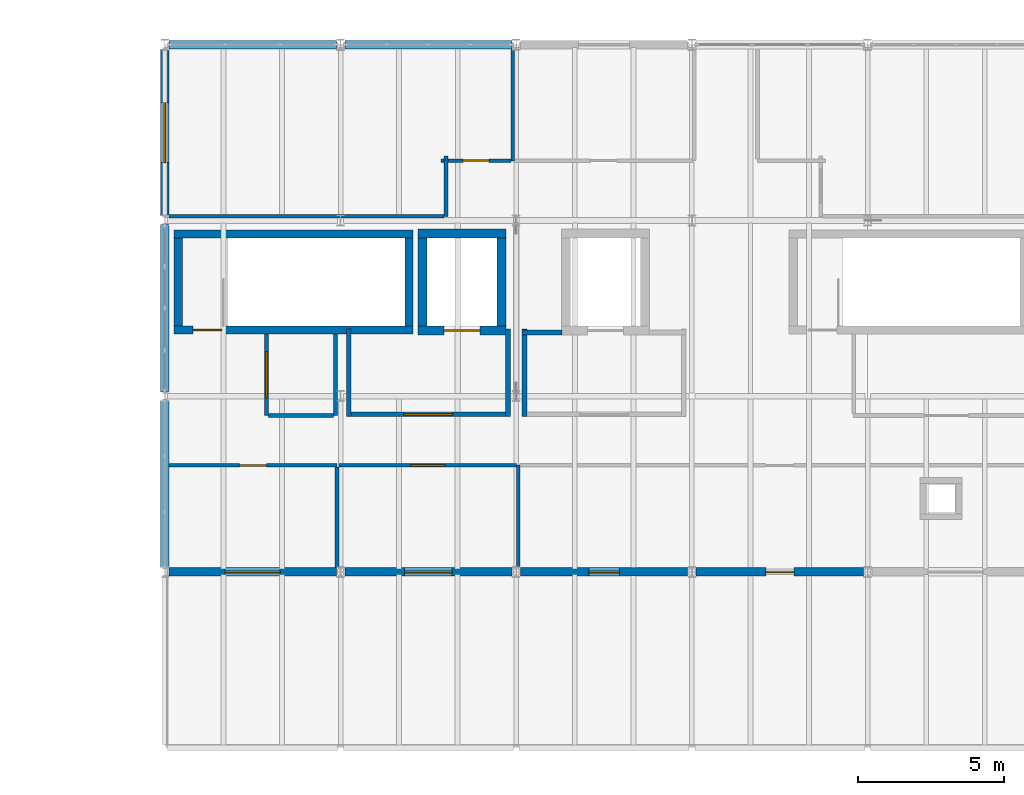
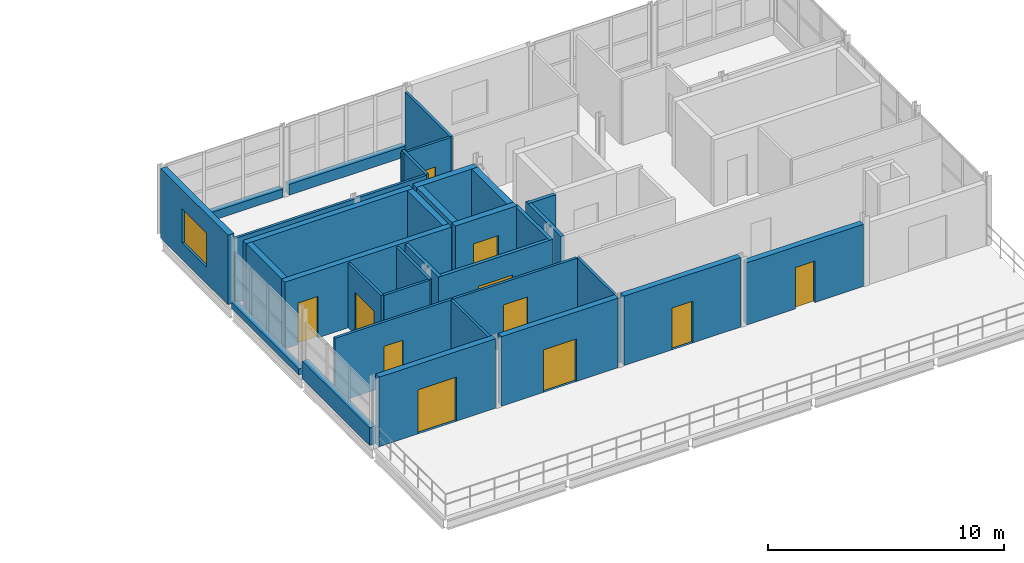
# One storey, part 16 of 20: 33 walls, 11 doors, 1 window, 12 openings.
"""IFC4 building model written with IfcOpenShell, lengths in metres."""

from ifc_helpers import new_model, si_unit, direction, frame, frame_2d, origin, place, context, subcontext, project, spatial, rectangle, extrude, material, layer, layer_set, type_object, element, fill, save


model = new_model("IFC4")

# Units and contexts
model_context = context("Model", 3, precision=1e-05, world=origin(), true_north=direction((0.0, 1.0)))
body_context = subcontext(model_context, "Body", "Model", "MODEL_VIEW")
ifc_project = project(units=[si_unit("LENGTHUNIT", "METRE"), si_unit("AREAUNIT", "SQUARE_METRE"), si_unit("VOLUMEUNIT", "CUBIC_METRE"), si_unit("PLANEANGLEUNIT", "RADIAN"), si_unit("MASSUNIT", "GRAM", prefix="KILO")], contexts=[model_context])

# Site, building, storey
site_placement = place(None, origin())
site = spatial("IfcSite", under=ifc_project, at=site_placement, CompositionType="ELEMENT")
building_placement = place(site_placement, origin())
building = spatial("IfcBuilding", under=site, at=building_placement, Name="Siltcreek Boulevard Central Fire Station", CompositionType="ELEMENT")
storey_placement = place(building_placement, frame((0.0, 0.0, 18.0)))
storey = spatial("IfcBuildingStorey", under=building, at=storey_placement, Name="L05", CompositionType="ELEMENT", Elevation=18.0)

# Wall, opening, door
ifc_material_1 = material(Name="Concrete C40/50", Category="concrete")
ifc_layer_1 = layer(ifc_material_1, 0.280029296875, Name="Concrete C40/50")
ifc_layer_set_1 = layer_set([ifc_layer_1], Name="Concrete C40/50")
wall_type_1 = type_object("IfcWallType", Name="CW_SHEAR280", PredefinedType="SHEAR", material=ifc_layer_set_1)
wall_1_placement = place(storey_placement, frame((124.52001953125, 102.4599609375, 0.0), z_axis=(0.0, 0.0, 1.0), x_axis=(1.0, 0.0, 0.0)))
wall_1 = element("IfcWall", 1, at=wall_1_placement, inside=storey, type_object=wall_type_1, Name="L05 ST-V5A stair enclosure south shear wall", PredefinedType="SHEAR", context=body_context, shape_type="SweptSolid", body=[
    extrude(rectangle(XDim=8.159912109375, YDim=0.280029296875, at=frame_2d((4.080078125, 0.0))), origin(), (0.0, 0.0, 1.0), 3.449951171875),
])
opening_1_placement = place(wall_1_placement, frame((0.64990234375, 0.0, 0.0)))
opening_1 = element("IfcOpeningElement", 2, at=opening_1_placement, cuts=wall_1, Name="Opening SD-037", PredefinedType="OPENING", context=body_context, shape_type="SweptSolid", body=[
    extrude(rectangle(XDim=0.97998046875, YDim=2.14990234375, at=frame_2d((0.489990234375, 1.074951171875))), frame((0.0, 0.14990234375, 0.0), z_axis=(0.0, -1.0, 0.0), x_axis=(1.0, 0.0, 0.0)), (0.0, 0.0, 1.0), 0.300048828125),
])
ifc_material_2 = material(Name="Hollow metal 90-min enclosed stair door")
door_type_1 = type_object("IfcDoorType", Name="DR_ST_098X215", OperationType="NOTDEFINED", PredefinedType="DOOR", material=ifc_material_2)
door_1_placement = place(opening_1_placement, origin())
door_1 = element("IfcDoor", 3, at=door_1_placement, inside=storey, type_object=door_type_1, Name="L05 ST-V5A enclosed exit stair door SD-037", OperationType="SINGLE_SWING_RIGHT", OverallHeight=2.14990234375, OverallWidth=0.97998046875, PredefinedType="DOOR", context=body_context, shape_type="SweptSolid", body=[
    extrude(rectangle(XDim=0.97998046875, YDim=2.14990234375, at=frame_2d((0.489990234375, 1.074951171875))), frame((0.0, 0.02490234375, 0.0), z_axis=(0.0, -1.0, 0.0), x_axis=(1.0, 0.0, 0.0)), (0.0, 0.0, 1.0), 0.050048828125),
])
fill(opening_1, door_1)

# Walls
wall_2_placement = place(storey_placement, frame((132.679931640625, 105.739990234375, 0.0), z_axis=(0.0, 0.0, 1.0), x_axis=(-1.0, 0.0, 0.0)))
element("IfcWall", 4, at=wall_2_placement, inside=storey, type_object=wall_type_1, Name="L05 ST-V5A stair enclosure north shear wall", PredefinedType="SHEAR", context=body_context, shape_type="SweptSolid", body=[
    extrude(rectangle(XDim=8.159912109375, YDim=0.280029296875, at=frame_2d((4.080078125, 0.0))), origin(), (0.0, 0.0, 1.0), 3.449951171875),
])
for number, where, z_axis, x_axis, name in (
    (5, (124.659912109375, 105.60009765625, 0.0), (0.0, 0.0, 1.0), (0.0, -1.0, 0.0), "L05 ST-V5A stair enclosure west shear wall"),
    (6, (132.5400390625, 102.60009765625, 0.0), (0.0, 0.0, 1.0), (0.0, 1.0, 0.0), "L05 ST-V5A stair enclosure east shear wall"),
):
    element("IfcWall", number, at=place(storey_placement, frame(where, z_axis=z_axis, x_axis=x_axis)), inside=storey, type_object=wall_type_1, Name=name, PredefinedType="SHEAR", context=body_context, shape_type="SweptSolid", body=[
        extrude(rectangle(XDim=3.0, YDim=0.280029296875, at=frame_2d((1.5, 0.0))), origin(), (0.0, 0.0, 1.0), 3.449951171875),
    ])

# Wall, opening, door
ifc_layer_2 = layer(ifc_material_1, 0.304931640625, Name="Concrete C40/50")
ifc_layer_set_2 = layer_set([ifc_layer_2], Name="Concrete C40/50")
wall_type_2 = type_object("IfcWallType", Name="CW_SHEAR305", PredefinedType="SHEAR", material=ifc_layer_set_2)
wall_3_placement = place(storey_placement, frame((132.844970703125, 102.447509765625, 0.0), z_axis=(0.0, 0.0, 1.0), x_axis=(1.0, 0.0, 0.0)))
wall_3 = element("IfcWall", 7, at=wall_3_placement, inside=storey, type_object=wall_type_2, Name="L05 EL-01 elevator shaft south shear wall", PredefinedType="SHEAR", context=body_context, shape_type="SweptSolid", body=[
    extrude(rectangle(XDim=3.010009765625, YDim=0.304931640625, at=frame_2d((1.5048828125, 0.0))), origin(), (0.0, 0.0, 1.0), 3.449951171875),
])
opening_2_placement = place(wall_3_placement, frame((0.89501953125, 0.0, 0.0)))
opening_2 = element("IfcOpeningElement", 8, at=opening_2_placement, cuts=wall_3, Name="Opening LD02", PredefinedType="OPENING", context=body_context, shape_type="SweptSolid", body=[
    extrude(rectangle(XDim=1.219970703125, YDim=2.219970703125, at=frame_2d((0.60986328125, 1.10986328125))), frame((0.0, 0.162353515625, 0.0), z_axis=(0.0, -1.0, 0.0), x_axis=(1.0, 0.0, 0.0)), (0.0, 0.0, 1.0), 0.324951171875),
])
ifc_material_3 = material(Name="Stainless steel firefighting sliding elevator landing door", Category="steel")
door_type_2 = type_object("IfcDoorType", Name="DR_LD_122X222", OperationType="NOTDEFINED", PredefinedType="DOOR", material=ifc_material_3)
door_2_placement = place(opening_2_placement, origin())
door_2 = element("IfcDoor", 9, at=door_2_placement, inside=storey, type_object=door_type_2, Name="L05 EL-01 elevator sliding landing door LD-06", OperationType="SLIDING_TO_LEFT", OverallHeight=2.219970703125, OverallWidth=1.219970703125, PredefinedType="DOOR", context=body_context, shape_type="SweptSolid", body=[
    extrude(rectangle(XDim=1.219970703125, YDim=2.219970703125, at=frame_2d((0.60986328125, 1.10986328125))), frame((0.0, 0.02490234375, 0.0), z_axis=(0.0, -1.0, 0.0), x_axis=(1.0, 0.0, 0.0)), (0.0, 0.0, 1.0), 0.050048828125),
])
fill(opening_2, door_2)

# Walls
wall_4_placement = place(storey_placement, frame((135.85498046875, 105.75244140625, 0.0), z_axis=(0.0, 0.0, 1.0), x_axis=(-1.0, 0.0, 0.0)))
element("IfcWall", 10, at=wall_4_placement, inside=storey, type_object=wall_type_2, Name="L05 EL-01 elevator shaft north shear wall", PredefinedType="SHEAR", context=body_context, shape_type="SweptSolid", body=[
    extrude(rectangle(XDim=3.010009765625, YDim=0.304931640625, at=frame_2d((1.5048828125, 0.0))), origin(), (0.0, 0.0, 1.0), 3.449951171875),
])
for number, where, z_axis, x_axis, name in (
    (11, (132.99755859375, 105.60009765625, 0.0), (0.0, 0.0, 1.0), (0.0, -1.0, 0.0), "L05 EL-01 elevator shaft west shear wall"),
    (12, (135.702392578125, 102.60009765625, 0.0), (0.0, 0.0, 1.0), (0.0, 1.0, 0.0), "L05 EL-01 elevator shaft east shear wall"),
):
    element("IfcWall", number, at=place(storey_placement, frame(where, z_axis=z_axis, x_axis=x_axis)), inside=storey, type_object=wall_type_2, Name=name, PredefinedType="SHEAR", context=body_context, shape_type="SweptSolid", body=[
        extrude(rectangle(XDim=3.0, YDim=0.304931640625, at=frame_2d((1.5, 0.0))), origin(), (0.0, 0.0, 1.0), 3.449951171875),
    ])

# Wall, opening, door
ifc_material_4 = material(Name="White ribbed aluminum spandrel wall", Category="aluminium")
ifc_layer_3 = layer(ifc_material_4, 0.2900390625, Name="White ribbed aluminum spandrel wall")
ifc_layer_set_3 = layer_set([ifc_layer_3], Name="White ribbed aluminum spandrel wall")
wall_type_3 = type_object("IfcWallType", Name="EW_METAL290", PredefinedType="STANDARD", material=ifc_layer_set_3)
wall_5_placement = place(storey_placement, frame((124.344970703125, 94.199951171875, 0.0), z_axis=(0.0, 0.0, 1.0), x_axis=(1.0, 0.0, 0.0)))
wall_5 = element("IfcWall", 13, at=wall_5_placement, inside=storey, type_object=wall_type_3, Name="L05 V5 exterior insulated rainscreen wall WL-EXT-L05-0413", PredefinedType="STANDARD", context=body_context, shape_type="SweptSolid", body=[
    extrude(rectangle(XDim=5.7099609375, YDim=0.2900390625, at=frame_2d((2.85498046875, 0.0))), origin(), (0.0, 0.0, 1.0), 3.60009765625),
])
opening_3_placement = place(wall_5_placement, frame((1.9150390625, 0.0, 0.0)))
opening_3 = element("IfcOpeningElement", 14, at=opening_3_placement, cuts=wall_5, Name="Opening TD-037", PredefinedType="OPENING", context=body_context, shape_type="SweptSolid", body=[
    extrude(rectangle(XDim=1.8798828125, YDim=2.280029296875, at=frame_2d((0.93994140625, 1.14013671875))), frame((0.0, 0.155029296875, 0.0), z_axis=(0.0, -1.0, 0.0), x_axis=(1.0, 0.0, 0.0)), (0.0, 0.0, 1.0), 0.31005859375),
])
ifc_material_5 = material(Name="Thermally broken glazed terrace double door")
door_type_3 = type_object("IfcDoorType", Name="DR_TER_188X228", OperationType="NOTDEFINED", PredefinedType="DOOR", material=ifc_material_5)
door_3_placement = place(opening_3_placement, frame((1.8798828125, 0.0, 0.0), z_axis=(0.0, 0.0, 1.0), x_axis=(-1.0, 0.0, 0.0)))
door_3 = element("IfcDoor", 15, at=door_3_placement, inside=storey, type_object=door_type_3, Name="L05 V5 outdoor terrace access door TD-037", OperationType="DOUBLE_DOOR_SINGLE_SWING", OverallHeight=2.280029296875, OverallWidth=1.8798828125, PredefinedType="DOOR", context=body_context, shape_type="SweptSolid", body=[
    extrude(rectangle(XDim=1.8798828125, YDim=2.280029296875, at=frame_2d((0.93994140625, 1.14013671875))), frame((0.0, 0.02490234375, 0.0), z_axis=(0.0, -1.0, 0.0), x_axis=(1.0, 0.0, 0.0)), (0.0, 0.0, 1.0), 0.050048828125),
])
fill(opening_3, door_3)

wall_6_placement = place(storey_placement, frame((130.344970703125, 94.199951171875, 0.0), z_axis=(0.0, 0.0, 1.0), x_axis=(1.0, 0.0, 0.0)))
wall_6 = element("IfcWall", 16, at=wall_6_placement, inside=storey, type_object=wall_type_3, Name="L05 V5 exterior insulated rainscreen wall WL-EXT-L05-0414", PredefinedType="STANDARD", context=body_context, shape_type="SweptSolid", body=[
    extrude(rectangle(XDim=5.7099609375, YDim=0.2900390625, at=frame_2d((2.85498046875, 0.0))), origin(), (0.0, 0.0, 1.0), 3.60009765625),
])
opening_4_placement = place(wall_6_placement, frame((2.044921875, 0.0, 0.0)))
opening_4 = element("IfcOpeningElement", 17, at=opening_4_placement, cuts=wall_6, Name="Opening TD-038", PredefinedType="OPENING", context=body_context, shape_type="SweptSolid", body=[
    extrude(rectangle(XDim=1.6201171875, YDim=2.199951171875, at=frame_2d((0.81005859375, 1.10009765625))), frame((0.0, 0.155029296875, 0.0), z_axis=(0.0, -1.0, 0.0), x_axis=(1.0, 0.0, 0.0)), (0.0, 0.0, 1.0), 0.31005859375),
])
ifc_material_6 = material(Name="Thermally broken glazed terrace pair")
door_type_4 = type_object("IfcDoorType", Name="DR_TER_162X220", OperationType="NOTDEFINED", PredefinedType="DOOR", material=ifc_material_6)
door_4_placement = place(opening_4_placement, frame((1.6201171875, 0.0, 0.0), z_axis=(0.0, 0.0, 1.0), x_axis=(-1.0, 0.0, 0.0)))
door_4 = element("IfcDoor", 18, at=door_4_placement, inside=storey, type_object=door_type_4, Name="L05 V5 outdoor terrace access door TD-038", OperationType="DOUBLE_DOOR_SINGLE_SWING", OverallHeight=2.199951171875, OverallWidth=1.6201171875, PredefinedType="DOOR", context=body_context, shape_type="SweptSolid", body=[
    extrude(rectangle(XDim=1.6201171875, YDim=2.199951171875, at=frame_2d((0.81005859375, 1.10009765625))), frame((0.0, 0.02490234375, 0.0), z_axis=(0.0, -1.0, 0.0), x_axis=(1.0, 0.0, 0.0)), (0.0, 0.0, 1.0), 0.050048828125),
])
fill(opening_4, door_4)

wall_7_placement = place(storey_placement, frame((136.344970703125, 94.199951171875, 0.0), z_axis=(0.0, 0.0, 1.0), x_axis=(1.0, 0.0, 0.0)))
wall_7 = element("IfcWall", 19, at=wall_7_placement, inside=storey, type_object=wall_type_3, Name="L05 V5 exterior insulated rainscreen wall WL-EXT-L05-0415", PredefinedType="STANDARD", context=body_context, shape_type="SweptSolid", body=[
    extrude(rectangle(XDim=5.7099609375, YDim=0.2900390625, at=frame_2d((2.85498046875, 0.0))), origin(), (0.0, 0.0, 1.0), 3.60009765625),
])
opening_5_placement = place(wall_7_placement, frame((2.3349609375, 0.0, 0.0)))
opening_5 = element("IfcOpeningElement", 20, at=opening_5_placement, cuts=wall_7, Name="Opening TD-039", PredefinedType="OPENING", context=body_context, shape_type="SweptSolid", body=[
    extrude(rectangle(XDim=1.0400390625, YDim=2.159912109375, at=frame_2d((0.52001953125, 1.080078125))), frame((0.0, 0.155029296875, 0.0), z_axis=(0.0, -1.0, 0.0), x_axis=(1.0, 0.0, 0.0)), (0.0, 0.0, 1.0), 0.31005859375),
])
ifc_material_7 = material(Name="Thermally broken glazed terrace single door")
door_type_5 = type_object("IfcDoorType", Name="DR_TER_104X216", OperationType="NOTDEFINED", PredefinedType="DOOR", material=ifc_material_7)
door_5_placement = place(opening_5_placement, frame((1.0400390625, 0.0, 0.0), z_axis=(0.0, 0.0, 1.0), x_axis=(-1.0, 0.0, 0.0)))
door_5 = element("IfcDoor", 21, at=door_5_placement, inside=storey, type_object=door_type_5, Name="L05 V5 outdoor terrace access door TD-039", OperationType="SINGLE_SWING_RIGHT", OverallHeight=2.159912109375, OverallWidth=1.0400390625, PredefinedType="DOOR", context=body_context, shape_type="SweptSolid", body=[
    extrude(rectangle(XDim=1.0400390625, YDim=2.159912109375, at=frame_2d((0.52001953125, 1.080078125))), frame((0.0, 0.02490234375, 0.0), z_axis=(0.0, -1.0, 0.0), x_axis=(1.0, 0.0, 0.0)), (0.0, 0.0, 1.0), 0.050048828125),
])
fill(opening_5, door_5)

wall_8_placement = place(storey_placement, frame((142.344970703125, 94.199951171875, 0.0), z_axis=(0.0, 0.0, 1.0), x_axis=(1.0, 0.0, 0.0)))
wall_8 = element("IfcWall", 22, at=wall_8_placement, inside=storey, type_object=wall_type_3, Name="L05 V5 exterior insulated rainscreen wall WL-EXT-L05-0416", PredefinedType="STANDARD", context=body_context, shape_type="SweptSolid", body=[
    extrude(rectangle(XDim=5.7099609375, YDim=0.2900390625, at=frame_2d((2.85498046875, 0.0))), origin(), (0.0, 0.0, 1.0), 3.218994140625),
])
opening_6_placement = place(wall_8_placement, frame((2.375, 0.0, 0.0)))
opening_6 = element("IfcOpeningElement", 23, at=opening_6_placement, cuts=wall_8, Name="Opening TD-040", PredefinedType="OPENING", context=body_context, shape_type="SweptSolid", body=[
    extrude(rectangle(XDim=0.9599609375, YDim=2.139892578125, at=frame_2d((0.47998046875, 1.06982421875))), frame((0.0, 0.155029296875, 0.0), z_axis=(0.0, -1.0, 0.0), x_axis=(1.0, 0.0, 0.0)), (0.0, 0.0, 1.0), 0.31005859375),
])
ifc_material_8 = material(Name="Thermally broken roof garden door")
door_type_6 = type_object("IfcDoorType", Name="DR_TER_096X214", OperationType="NOTDEFINED", PredefinedType="DOOR", material=ifc_material_8)
door_6_placement = place(opening_6_placement, frame((0.9599609375, 0.0, 0.0), z_axis=(0.0, 0.0, 1.0), x_axis=(-1.0, 0.0, 0.0)))
door_6 = element("IfcDoor", 24, at=door_6_placement, inside=storey, type_object=door_type_6, Name="L05 V5 outdoor terrace access door TD-040", OperationType="SINGLE_SWING_LEFT", OverallHeight=2.139892578125, OverallWidth=0.9599609375, PredefinedType="DOOR", context=body_context, shape_type="SweptSolid", body=[
    extrude(rectangle(XDim=0.9599609375, YDim=2.139892578125, at=frame_2d((0.47998046875, 1.06982421875))), frame((0.0, 0.02490234375, 0.0), z_axis=(0.0, -1.0, 0.0), x_axis=(1.0, 0.0, 0.0)), (0.0, 0.0, 1.0), 0.050048828125),
])
fill(opening_6, door_6)

# Walls
wall_9_placement = place(storey_placement, frame((130.054931640625, 112.199951171875, 0.0), z_axis=(0.0, 0.0, 1.0), x_axis=(-1.0, 0.0, 0.0)))
element("IfcWall", 25, at=wall_9_placement, inside=storey, type_object=wall_type_3, Name="L05 V5 curtain-wall sill spandrel 0418", PredefinedType="STANDARD", context=body_context, shape_type="SweptSolid", body=[
    extrude(rectangle(XDim=5.7099609375, YDim=0.2900390625, at=frame_2d((2.85498046875, 0.0))), origin(), (0.0, 0.0, 1.0), 0.43994140625),
])
wall_10_placement = place(storey_placement, frame((136.054931640625, 112.199951171875, 0.0), z_axis=(0.0, 0.0, 1.0), x_axis=(-1.0, 0.0, 0.0)))
element("IfcWall", 26, at=wall_10_placement, inside=storey, type_object=wall_type_3, Name="L05 V5 curtain-wall sill spandrel 0419", PredefinedType="STANDARD", context=body_context, shape_type="SweptSolid", body=[
    extrude(rectangle(XDim=5.7099609375, YDim=0.2900390625, at=frame_2d((2.85498046875, 0.0))), origin(), (0.0, 0.0, 1.0), 0.56005859375),
])
wall_11_placement = place(storey_placement, frame((124.199951171875, 100.054931640625, 0.0), z_axis=(0.0, 0.0, 1.0), x_axis=(0.0, -1.0, 0.0)))
element("IfcWall", 27, at=wall_11_placement, inside=storey, type_object=wall_type_3, Name="L05 V5 curtain-wall sill spandrel 0423", PredefinedType="STANDARD", context=body_context, shape_type="SweptSolid", body=[
    extrude(rectangle(XDim=5.7099609375, YDim=0.2900390625, at=frame_2d((2.85498046875, 0.0))), origin(), (0.0, 0.0, 1.0), 0.919921875),
])
wall_12_placement = place(storey_placement, frame((124.199951171875, 106.054931640625, 0.0), z_axis=(0.0, 0.0, 1.0), x_axis=(0.0, -1.0, 0.0)))
element("IfcWall", 28, at=wall_12_placement, inside=storey, type_object=wall_type_3, Name="L05 V5 curtain-wall sill spandrel 0424", PredefinedType="STANDARD", context=body_context, shape_type="SweptSolid", body=[
    extrude(rectangle(XDim=5.7099609375, YDim=0.2900390625, at=frame_2d((2.85498046875, 0.0))), origin(), (0.0, 0.0, 1.0), 0.320068359375),
])

# Wall, opening, window
wall_13_placement = place(storey_placement, frame((124.199951171875, 112.054931640625, 0.0), z_axis=(0.0, 0.0, 1.0), x_axis=(0.0, -1.0, 0.0)))
wall_13 = element("IfcWall", 29, at=wall_13_placement, inside=storey, type_object=wall_type_3, Name="L05 V5 exterior insulated rainscreen wall WL-EXT-L05-0425", PredefinedType="STANDARD", context=body_context, shape_type="SweptSolid", body=[
    extrude(rectangle(XDim=5.7099609375, YDim=0.2900390625, at=frame_2d((2.85498046875, 0.0))), origin(), (0.0, 0.0, 1.0), 3.60009765625),
])
opening_7_placement = place(wall_13_placement, frame((1.830078125, 0.0, 0.85009765625)))
opening_7 = element("IfcOpeningElement", 30, at=opening_7_placement, cuts=wall_13, Name="Opening WN21", PredefinedType="OPENING", context=body_context, shape_type="SweptSolid", body=[
    extrude(rectangle(XDim=2.050048828125, YDim=1.75, at=frame_2d((1.02490234375, 0.875))), frame((0.0, 0.155029296875, 0.0), z_axis=(0.0, -1.0, 0.0), x_axis=(1.0, 0.0, 0.0)), (0.0, 0.0, 1.0), 0.31005859375),
])
ifc_material_9 = material(Name="Thermally broken aluminum frame with low-E insulated glass", Category="aluminium")
window_type = type_object("IfcWindowType", Name="WN_PB_205X175", PartitioningType="SINGLE_PANEL", PredefinedType="WINDOW", material=ifc_material_9)
window_placement = place(opening_7_placement, origin())
window = element("IfcWindow", 31, at=window_placement, inside=storey, type_object=window_type, Name="L05 V5 exterior window WN-0162", OverallHeight=1.75, OverallWidth=2.050048828125, PartitioningType="SINGLE_PANEL", PredefinedType="WINDOW", context=body_context, shape_type="SweptSolid", body=[
    extrude(rectangle(XDim=2.050048828125, YDim=1.75, at=frame_2d((1.02490234375, 0.875))), frame((0.0, 0.030029296875, 0.0), z_axis=(0.0, -1.0, 0.0), x_axis=(1.0, 0.0, 0.0)), (0.0, 0.0, 1.0), 0.06005859375),
])
fill(opening_7, window)

# Wall
ifc_material_10 = material(Name="Interior steel stud gypsum partition", Category="steel")
ifc_layer_4 = layer(ifc_material_10, 0.125, Name="Interior steel stud gypsum partition")
ifc_layer_set_4 = layer_set([ifc_layer_4], Name="Interior steel stud gypsum partition")
wall_type_4 = type_object("IfcWallType", Name="IW_PART125", PredefinedType="PARTITIONING", material=ifc_layer_set_4)
wall_14_placement = place(storey_placement, frame((136.27001953125, 94.344970703125, 0.0), z_axis=(0.0, 0.0, 1.0), x_axis=(0.0, 1.0, 0.0)))
element("IfcWall", 32, at=wall_14_placement, inside=storey, type_object=wall_type_4, Name="L05 Emergency Operations Hall partition 0334", PredefinedType="PARTITIONING", context=body_context, shape_type="SweptSolid", body=[
    extrude(rectangle(XDim=3.49755859375, YDim=0.125, at=frame_2d((1.748779296875, 0.0))), origin(), (0.0, 0.0, 1.0), 3.360107421875),
])

# Wall, opening, door
wall_15_placement = place(storey_placement, frame((124.344970703125, 97.840087890625, 0.0), z_axis=(0.0, 0.0, 1.0), x_axis=(1.0, 0.0, 0.0)))
wall_15 = element("IfcWall", 33, at=wall_15_placement, inside=storey, type_object=wall_type_4, Name="L05 Interagency Policy Breakout Room partition 0336", PredefinedType="PARTITIONING", context=body_context, shape_type="SweptSolid", body=[
    extrude(rectangle(XDim=5.737548828125, YDim=0.125, at=frame_2d((2.86865234375, 0.0))), origin(), (0.0, 0.0, 1.0), 3.360107421875),
])
opening_8_placement = place(wall_15_placement, frame((2.40380859375, 0.0, 0.0)))
opening_8 = element("IfcOpeningElement", 34, at=opening_8_placement, cuts=wall_15, Name="Opening ID03", PredefinedType="OPENING", context=body_context, shape_type="SweptSolid", body=[
    extrude(rectangle(XDim=0.929931640625, YDim=2.10009765625, at=frame_2d((0.46484375, 1.050048828125))), frame((0.0, 0.072509765625, 0.0), z_axis=(0.0, -1.0, 0.0), x_axis=(1.0, 0.0, 0.0)), (0.0, 0.0, 1.0), 0.14501953125),
])
ifc_material_11 = material(Name="Solid-core timber station office door", Category="wood")
door_type_7 = type_object("IfcDoorType", Name="DR_OFF_093X210", OperationType="NOTDEFINED", PredefinedType="DOOR", material=ifc_material_11)
door_7_placement = place(opening_8_placement, frame((0.929931640625, 0.0, 0.0), z_axis=(0.0, 0.0, 1.0), x_axis=(-1.0, 0.0, 0.0)))
door_7 = element("IfcDoor", 35, at=door_7_placement, inside=storey, type_object=door_type_7, Name="L05 Interagency Policy Breakout Room door ID-0148", OperationType="SINGLE_SWING_LEFT", OverallHeight=2.10009765625, OverallWidth=0.929931640625, PredefinedType="DOOR", context=body_context, shape_type="SweptSolid", body=[
    extrude(rectangle(XDim=0.929931640625, YDim=2.10009765625, at=frame_2d((0.46484375, 1.050048828125))), frame((0.0, 0.02490234375, 0.0), z_axis=(0.0, -1.0, 0.0), x_axis=(1.0, 0.0, 0.0)), (0.0, 0.0, 1.0), 0.050048828125),
])
fill(opening_8, door_7)

# Wall
wall_16_placement = place(storey_placement, frame((130.080078125, 97.777587890625, 0.0), z_axis=(0.0, 0.0, 1.0), x_axis=(0.0, -1.0, 0.0)))
element("IfcWall", 36, at=wall_16_placement, inside=storey, type_object=wall_type_4, Name="L05 Interagency Policy Breakout Room partition 0337", PredefinedType="PARTITIONING", context=body_context, shape_type="SweptSolid", body=[
    extrude(rectangle(XDim=3.4326171875, YDim=0.125, at=frame_2d((1.71630859375, 0.0))), origin(), (0.0, 0.0, 1.0), 3.360107421875),
])

# Wall, opening, door
wall_17_placement = place(storey_placement, frame((130.142578125, 97.840087890625, 0.0), z_axis=(0.0, 0.0, 1.0), x_axis=(1.0, 0.0, 0.0)))
wall_17 = element("IfcWall", 37, at=wall_17_placement, inside=storey, type_object=wall_type_4, Name="L05 GIS Mapping Situation Laboratory partition 0338", PredefinedType="PARTITIONING", context=body_context, shape_type="SweptSolid", body=[
    extrude(rectangle(XDim=6.06494140625, YDim=0.125, at=frame_2d((3.032470703125, 0.0))), origin(), (0.0, 0.0, 1.0), 3.360107421875),
])
opening_9_placement = place(wall_17_placement, frame((2.452392578125, 0.0, 0.0)))
opening_9 = element("IfcOpeningElement", 38, at=opening_9_placement, cuts=wall_17, Name="Opening ID06", PredefinedType="OPENING", context=body_context, shape_type="SweptSolid", body=[
    extrude(rectangle(XDim=1.159912109375, YDim=2.199951171875, at=frame_2d((0.580078125, 1.10009765625))), frame((0.0, 0.072509765625, 0.0), z_axis=(0.0, -1.0, 0.0), x_axis=(1.0, 0.0, 0.0)), (0.0, 0.0, 1.0), 0.14501953125),
])
ifc_material_12 = material(Name="Glazed simulation laboratory door")
door_type_8 = type_object("IfcDoorType", Name="DR_LAB_116X220", OperationType="NOTDEFINED", PredefinedType="DOOR", material=ifc_material_12)
door_8_placement = place(opening_9_placement, frame((1.159912109375, 0.0, 0.0), z_axis=(0.0, 0.0, 1.0), x_axis=(-1.0, 0.0, 0.0)))
door_8 = element("IfcDoor", 39, at=door_8_placement, inside=storey, type_object=door_type_8, Name="L05 GIS Mapping Situation Laboratory door ID-0149", OperationType="SINGLE_SWING_RIGHT", OverallHeight=2.199951171875, OverallWidth=1.159912109375, PredefinedType="DOOR", context=body_context, shape_type="SweptSolid", body=[
    extrude(rectangle(XDim=1.159912109375, YDim=2.199951171875, at=frame_2d((0.580078125, 1.10009765625))), frame((0.0, 0.02490234375, 0.0), z_axis=(0.0, -1.0, 0.0), x_axis=(1.0, 0.0, 0.0)), (0.0, 0.0, 1.0), 0.050048828125),
])
fill(opening_9, door_8)

# Wall
wall_18_placement = place(storey_placement, frame((136.080078125, 112.054931640625, 0.0), z_axis=(0.0, 0.0, 1.0), x_axis=(0.0, -1.0, 0.0)))
element("IfcWall", 40, at=wall_18_placement, inside=storey, type_object=wall_type_4, Name="L05 Amateur Radio Communications Room partition 0339", PredefinedType="PARTITIONING", context=body_context, shape_type="SweptSolid", body=[
    extrude(rectangle(XDim=3.8173828125, YDim=0.125, at=frame_2d((1.90869140625, 0.0))), origin(), (0.0, 0.0, 1.0), 3.360107421875),
])

# Wall, opening, door
wall_19_placement = place(storey_placement, frame((136.017578125, 108.239990234375, 0.0), z_axis=(0.0, 0.0, 1.0), x_axis=(-1.0, 0.0, 0.0)))
wall_19 = element("IfcWall", 41, at=wall_19_placement, inside=storey, type_object=wall_type_4, Name="L05 Amateur Radio Communications Room partition 0340", PredefinedType="PARTITIONING", context=body_context, shape_type="SweptSolid", body=[
    extrude(rectangle(XDim=2.380126953125, YDim=0.125, at=frame_2d((1.18994140625, 0.0))), origin(), (0.0, 0.0, 1.0), 3.360107421875),
])
opening_10_placement = place(wall_19_placement, frame((0.739990234375, 0.0, 0.0)))
opening_10 = element("IfcOpeningElement", 42, at=opening_10_placement, cuts=wall_19, Name="Opening ID08", PredefinedType="OPENING", context=body_context, shape_type="SweptSolid", body=[
    extrude(rectangle(XDim=0.89990234375, YDim=2.10009765625, at=frame_2d((0.449951171875, 1.050048828125))), frame((0.0, 0.072509765625, 0.0), z_axis=(0.0, -1.0, 0.0), x_axis=(1.0, 0.0, 0.0)), (0.0, 0.0, 1.0), 0.14501953125),
])
ifc_material_13 = material(Name="Moisture-resistant accessible toilet door")
door_type_9 = type_object("IfcDoorType", Name="DR_WC_090X210", OperationType="NOTDEFINED", PredefinedType="DOOR", material=ifc_material_13)
door_9_placement = place(opening_10_placement, frame((0.89990234375, 0.0, 0.0), z_axis=(0.0, 0.0, 1.0), x_axis=(-1.0, 0.0, 0.0)))
door_9 = element("IfcDoor", 43, at=door_9_placement, inside=storey, type_object=door_type_9, Name="L05 Amateur Radio Communications Room door ID-0150", OperationType="SINGLE_SWING_LEFT", OverallHeight=2.10009765625, OverallWidth=0.89990234375, PredefinedType="DOOR", context=body_context, shape_type="SweptSolid", body=[
    extrude(rectangle(XDim=0.89990234375, YDim=2.10009765625, at=frame_2d((0.449951171875, 1.050048828125))), frame((0.0, 0.02490234375, 0.0), z_axis=(0.0, -1.0, 0.0), x_axis=(1.0, 0.0, 0.0)), (0.0, 0.0, 1.0), 0.050048828125),
])
fill(opening_10, door_9)

# Walls
wall_20_placement = place(storey_placement, frame((133.800048828125, 108.402587890625, 0.0), z_axis=(0.0, 0.0, 1.0), x_axis=(0.0, -1.0, 0.0)))
element("IfcWall", 44, at=wall_20_placement, inside=storey, type_object=wall_type_4, Name="L05 Amateur Radio Communications Room partition 0341", PredefinedType="PARTITIONING", context=body_context, shape_type="SweptSolid", body=[
    extrude(rectangle(XDim=2.065185546875, YDim=0.125, at=frame_2d((1.03271484375, 0.0))), origin(), (0.0, 0.0, 1.0), 3.360107421875),
])
wall_21_placement = place(storey_placement, frame((133.737548828125, 106.340087890625, 0.0), z_axis=(0.0, 0.0, 1.0), x_axis=(-1.0, 0.0, 0.0)))
element("IfcWall", 45, at=wall_21_placement, inside=storey, type_object=wall_type_4, Name="L05 Amateur Radio Communications Room partition 0342", PredefinedType="PARTITIONING", context=body_context, shape_type="SweptSolid", body=[
    extrude(rectangle(XDim=9.392578125, YDim=0.125, at=frame_2d((4.6962890625, 0.0))), origin(), (0.0, 0.0, 1.0), 3.360107421875),
])

# Wall, opening, door
wall_22_placement = place(storey_placement, frame((127.669921875, 99.53759765625, 0.0), z_axis=(0.0, 0.0, 1.0), x_axis=(0.0, 1.0, 0.0)))
wall_22 = element("IfcWall", 46, at=wall_22_placement, inside=storey, type_object=wall_type_4, Name="L05 Incident Meteorology Analysis Lab partition 0351", PredefinedType="PARTITIONING", context=body_context, shape_type="SweptSolid", body=[
    extrude(rectangle(XDim=2.782470703125, YDim=0.125, at=frame_2d((1.39111328125, 0.0))), origin(), (0.0, 0.0, 1.0), 3.360107421875),
])
opening_11_placement = place(wall_22_placement, frame((0.601318359375, 0.0, 0.0)))
opening_11 = element("IfcOpeningElement", 47, at=opening_11_placement, cuts=wall_22, Name="Opening AD02", PredefinedType="OPENING", context=body_context, shape_type="SweptSolid", body=[
    extrude(rectangle(XDim=1.580078125, YDim=2.199951171875, at=frame_2d((0.7900390625, 1.10009765625))), frame((0.0, 0.072509765625, 0.0), z_axis=(0.0, -1.0, 0.0), x_axis=(1.0, 0.0, 0.0)), (0.0, 0.0, 1.0), 0.14501953125),
])
ifc_material_14 = material(Name="Glazed acoustic assembly hall double door")
door_type_10 = type_object("IfcDoorType", Name="DR_HAL_158X220", OperationType="NOTDEFINED", PredefinedType="DOOR", material=ifc_material_14)
door_10_placement = place(opening_11_placement, frame((1.580078125, 0.0, 0.0), z_axis=(0.0, 0.0, 1.0), x_axis=(-1.0, 0.0, 0.0)))
door_10 = element("IfcDoor", 48, at=door_10_placement, inside=storey, type_object=door_type_10, Name="L05 Incident Meteorology Analysis Lab door ID-0154", OperationType="DOUBLE_DOOR_SINGLE_SWING", OverallHeight=2.199951171875, OverallWidth=1.580078125, PredefinedType="DOOR", context=body_context, shape_type="SweptSolid", body=[
    extrude(rectangle(XDim=1.580078125, YDim=2.199951171875, at=frame_2d((0.7900390625, 1.10009765625))), frame((0.0, 0.02490234375, 0.0), z_axis=(0.0, -1.0, 0.0), x_axis=(1.0, 0.0, 0.0)), (0.0, 0.0, 1.0), 0.050048828125),
])
fill(opening_11, door_10)

# Walls
wall_23_placement = place(storey_placement, frame((130.030029296875, 102.320068359375, 0.0), z_axis=(0.0, 0.0, 1.0), x_axis=(0.0, -1.0, 0.0)))
element("IfcWall", 49, at=wall_23_placement, inside=storey, type_object=wall_type_4, Name="L05 Incident Meteorology Analysis Lab partition 0352", PredefinedType="PARTITIONING", context=body_context, shape_type="SweptSolid", body=[
    extrude(rectangle(XDim=2.782470703125, YDim=0.125, at=frame_2d((1.39111328125, 0.0))), origin(), (0.0, 0.0, 1.0), 3.360107421875),
])
wall_24_placement = place(storey_placement, frame((129.967529296875, 99.5400390625, 0.0), z_axis=(0.0, 0.0, 1.0), x_axis=(-1.0, 0.0, 0.0)))
element("IfcWall", 50, at=wall_24_placement, inside=storey, type_object=wall_type_4, Name="L05 Incident Meteorology Analysis Lab partition 0353", PredefinedType="PARTITIONING", context=body_context, shape_type="SweptSolid", body=[
    extrude(rectangle(XDim=2.235107421875, YDim=0.125, at=frame_2d((1.11767578125, 0.0))), origin(), (0.0, 0.0, 1.0), 3.360107421875),
])
ifc_material_15 = material(Name="Acoustic smoke-barrier steel stud gypsum wall", Category="steel")
ifc_layer_5 = layer(ifc_material_15, 0.1650390625, Name="Acoustic smoke-barrier steel stud gypsum wall")
ifc_layer_set_5 = layer_set([ifc_layer_5], Name="Acoustic smoke-barrier steel stud gypsum wall")
wall_type_5 = type_object("IfcWallType", Name="IW_SMK165", PredefinedType="PARTITIONING", material=ifc_layer_set_5)
for number, where, z_axis, x_axis, name in (
    (51, (130.47998046875, 99.5, 0.0), (0.0, 0.0, 1.0), (0.0, 1.0, 0.0), "L05 EL-01 elevator lobby W smoke partition"),
    (52, (135.919921875, 102.487548828125, 0.0), (0.0, 0.0, 1.0), (0.0, -1.0, 0.0), "L05 EL-01 elevator lobby E smoke partition"),
):
    element("IfcWall", number, at=place(storey_placement, frame(where, z_axis=z_axis, x_axis=x_axis)), inside=storey, type_object=wall_type_5, Name=name, PredefinedType="PARTITIONING", context=body_context, shape_type="SweptSolid", body=[
        extrude(rectangle(XDim=2.987548828125, YDim=0.1650390625, at=frame_2d((1.49365234375, 0.0))), origin(), (0.0, 0.0, 1.0), 3.360107421875),
    ])

# Wall, opening, door
wall_25_placement = place(storey_placement, frame((130.39990234375, 99.580078125, 0.0), z_axis=(0.0, 0.0, 1.0), x_axis=(1.0, 0.0, 0.0)))
wall_25 = element("IfcWall", 53, at=wall_25_placement, inside=storey, type_object=wall_type_5, Name="L05 EL-01 elevator lobby south smoke partition", PredefinedType="PARTITIONING", context=body_context, shape_type="SweptSolid", body=[
    extrude(rectangle(XDim=5.60009765625, YDim=0.1650390625, at=frame_2d((2.800048828125, 0.0))), origin(), (0.0, 0.0, 1.0), 3.360107421875),
])
opening_12_placement = place(wall_25_placement, frame((1.969970703125, 0.0, 0.0)))
opening_12 = element("IfcOpeningElement", 54, at=opening_12_placement, cuts=wall_25, Name="Opening FD02", PredefinedType="OPENING", context=body_context, shape_type="SweptSolid", body=[
    extrude(rectangle(XDim=1.659912109375, YDim=2.199951171875, at=frame_2d((0.830078125, 1.10009765625))), frame((0.0, 0.092529296875, 0.0), z_axis=(0.0, -1.0, 0.0), x_axis=(1.0, 0.0, 0.0)), (0.0, 0.0, 1.0), 0.18505859375),
])
ifc_material_16 = material(Name="Hollow metal smoke-barrier elevator lobby pair")
door_type_11 = type_object("IfcDoorType", Name="DR_LOB_166X220", OperationType="NOTDEFINED", PredefinedType="DOOR", material=ifc_material_16)
door_11_placement = place(opening_12_placement, frame((1.659912109375, 0.0, 0.0), z_axis=(0.0, 0.0, 1.0), x_axis=(-1.0, 0.0, 0.0)))
door_11 = element("IfcDoor", 55, at=door_11_placement, inside=storey, type_object=door_type_11, Name="L05 EL-01 elevator lobby smoke door", OperationType="DOUBLE_DOOR_SINGLE_SWING", OverallHeight=2.199951171875, OverallWidth=1.659912109375, PredefinedType="DOOR", context=body_context, shape_type="SweptSolid", body=[
    extrude(rectangle(XDim=1.659912109375, YDim=2.199951171875, at=frame_2d((0.830078125, 1.10009765625))), frame((0.0, 0.02490234375, 0.0), z_axis=(0.0, -1.0, 0.0), x_axis=(1.0, 0.0, 0.0)), (0.0, 0.0, 1.0), 0.050048828125),
])
fill(opening_12, door_11)

# Walls
wall_26_placement = place(storey_placement, frame((136.47998046875, 99.5, 0.0), z_axis=(0.0, 0.0, 1.0), x_axis=(0.0, 1.0, 0.0)))
element("IfcWall", 56, at=wall_26_placement, inside=storey, type_object=wall_type_5, Name="L05 EL-02 elevator lobby W smoke partition", PredefinedType="PARTITIONING", context=body_context, shape_type="SweptSolid", body=[
    extrude(rectangle(XDim=2.987548828125, YDim=0.1650390625, at=frame_2d((1.49365234375, 0.0))), origin(), (0.0, 0.0, 1.0), 3.360107421875),
])
wall_27_placement = place(storey_placement, frame((136.39990234375, 102.375, 0.0), z_axis=(0.0, 0.0, 1.0), x_axis=(1.0, 0.0, 0.0)))
element("IfcWall", 57, at=wall_27_placement, inside=storey, type_object=wall_type_5, Name="L05 EL-02 elevator lobby NW smoke partition", PredefinedType="PARTITIONING", context=body_context, shape_type="SweptSolid", body=[
    extrude(rectangle(XDim=1.364990234375, YDim=0.1650390625, at=frame_2d((0.6826171875, 0.0))), origin(), (0.0, 0.0, 1.0), 3.360107421875),
])

save(model, "model.ifc")
